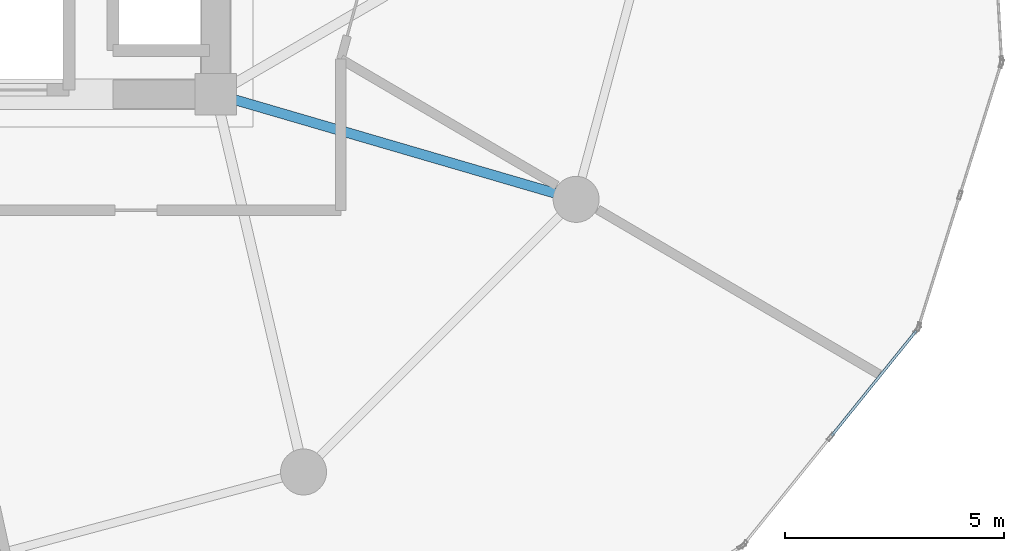
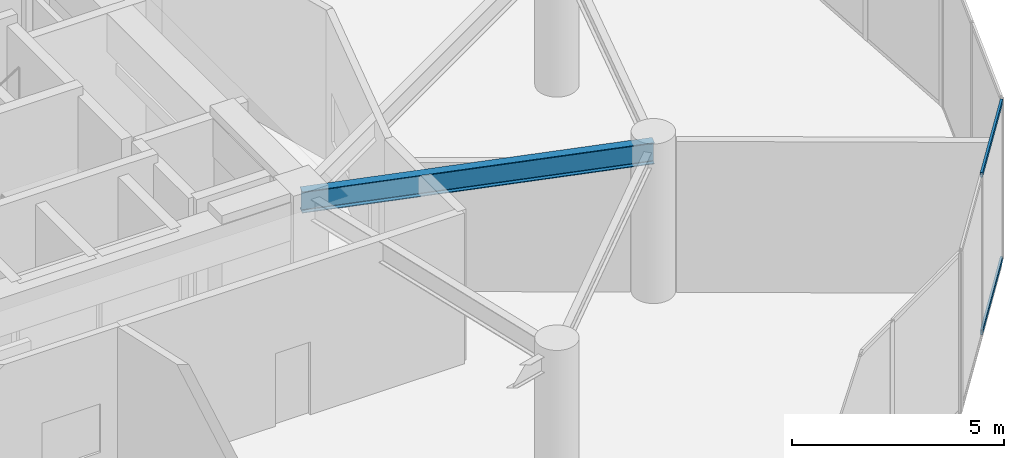
# One storey, part 12 of 28: 2 members, 1 beam, 1 element without a shape of its own.
"""IFC4 building model written with IfcOpenShell, lengths in metres."""

from ifc_helpers import new_model, si_unit, direction, frame, origin, origin_2d, place, context, subcontext, project, spatial, hollow_rectangle, i_section, extrude, source, transform, mapped, material, layer, layer_set, material_profile, profile_set, type_object, element, aggregate, save


model = new_model("IFC4")

# Units and contexts
model_context = context("Model", 3, precision=1e-05, world=origin(), true_north=direction((0.0, 1.0)))
body_context = subcontext(model_context, "Body", "Model", "MODEL_VIEW")
ifc_project = project(units=[si_unit("LENGTHUNIT", "METRE"), si_unit("AREAUNIT", "SQUARE_METRE"), si_unit("VOLUMEUNIT", "CUBIC_METRE"), si_unit("PLANEANGLEUNIT", "RADIAN"), si_unit("MASSUNIT", "GRAM", prefix="KILO")], contexts=[model_context])

# Site, building, storey
site_placement = place(None, origin())
site = spatial("IfcSite", under=ifc_project, at=site_placement, CompositionType="ELEMENT")
building_placement = place(site_placement, origin())
building = spatial("IfcBuilding", under=site, at=building_placement, Name="Solvirekh Grand Hotel", CompositionType="ELEMENT")
storey_placement = place(building_placement, frame((0.0, 0.0, 98.0)))
storey = spatial("IfcBuildingStorey", under=building, at=storey_placement, Name="L24", CompositionType="ELEMENT", Elevation=98.0)

# Beam
ifc_material_1 = material(Name="Steel S355", Category="steel")
ifc_material_profile_1 = material_profile(ifc_material_1, i_section(OverallWidth=0.22802734375, OverallDepth=0.616943359375, WebThickness=0.012939453125, FlangeThickness=0.02001953125, FilletRadius=0.014892578125, at=origin_2d()), Name="W610X140")
ifc_profile_set_1 = profile_set([ifc_material_profile_1], Name="Steel S355")
beam_type = type_object("IfcBeamType", Name="Beam_Radial_W610", PredefinedType="BEAM", material=ifc_profile_set_1)
beam_placement = place(storey_placement, frame((6.5, -6.10009765625, 4.041015625), z_axis=(0.959942195467, -0.28019811092, 0.0), x_axis=(0.28019811092, 0.959942195467, 0.0)))
element("IfcBeam", 1, at=beam_placement, inside=storey, type_object=beam_type, Name="L24 radial floor beam R12", PredefinedType="BEAM", context=body_context, shape_type="SweptSolid", body=[
    extrude(i_section(OverallWidth=0.22802734375, OverallDepth=0.616943359375, WebThickness=0.012939453125, FlangeThickness=0.02001953125, FilletRadius=0.014892578125, at=origin_2d()), origin(), (0.0, 0.0, 1.0), 8.56494140625),
])

# Curtain wall, members
ifc_material_2 = material(Name="Anodized Bronze Aluminium 6063-T6", Category="aluminium")
ifc_layer = layer(ifc_material_2, 0.18994140625)
ifc_layer_set = layer_set([ifc_layer], Name="Anodized Bronze Aluminium 6063-T6")
curtain_wall_type = type_object("IfcCurtainWallType", Name="CW_Sys5_SkyLobbyPanoramaCW", PredefinedType="NOTDEFINED", material=ifc_layer_set)
curtain_wall_placement = place(storey_placement, origin())
curtain_wall = element("IfcCurtainWall", 2, at=curtain_wall_placement, inside=storey, type_object=curtain_wall_type, Name="L24 unitised bronze-glass curtain wall CW-L24-C20", PredefinedType="NOTDEFINED")
ifc_material_profile_2 = material_profile(ifc_material_2, hollow_rectangle(XDim=0.06005859375, YDim=0.135009765625, WallThickness=0.00390625, at=origin_2d()), Name="ALU RHS 135X60X4")
ifc_profile_set_2 = profile_set([ifc_material_profile_2], Name="Anodized Bronze Aluminium 6063-T6")
member_type = type_object("IfcMemberType", Name="CWTransom_Sys5", PredefinedType="USERDEFINED", material=ifc_profile_set_2)
shared_shape = source(origin(), body_context, "Body", "SweptSolid", [
    extrude(hollow_rectangle(XDim=0.06005859375, YDim=0.135009765625, WallThickness=0.00390625, at=origin_2d()), origin(), (0.0, 0.0, 1.0), 3.079833984375),
])
member_1_placement = place(storey_placement, frame((20.552001953125, -13.895263671875, 0.030029296875), z_axis=(0.627995685735, 0.778216819851, 0.0), x_axis=(-0.778216819851, 0.627995685735, 0.0)))
member_1 = element("IfcMember", 3, at=member_1_placement, type_object=member_type, Name="U05 transom 2.1", ObjectType="TRANSOM", PredefinedType="USERDEFINED", context=body_context, shape_type="MappedRepresentation", body=[
    mapped(shared_shape, transform((0.0, 0.0, 0.0), x_axis=(1.0, 0.0, 0.0), y_axis=(0.0, 1.0, 0.0), z_axis=(0.0, 0.0, 1.0), scale=1.0)),
])
member_2_placement = place(storey_placement, frame((20.552001953125, -13.895263671875, 4.570068359375), z_axis=(0.627995685735, 0.778216819851, 0.0), x_axis=(-0.778216819851, 0.627995685735, 0.0)))
member_2 = element("IfcMember", 4, at=member_2_placement, type_object=member_type, Name="U05 transom 2.2", ObjectType="TRANSOM", PredefinedType="USERDEFINED", context=body_context, shape_type="MappedRepresentation", body=[
    mapped(shared_shape, transform((0.0, 0.0, 0.0), x_axis=(1.0, 0.0, 0.0), y_axis=(0.0, 1.0, 0.0), z_axis=(0.0, 0.0, 1.0), scale=1.0)),
])
aggregate(curtain_wall, [member_1, member_2])

save(model, "model.ifc")
